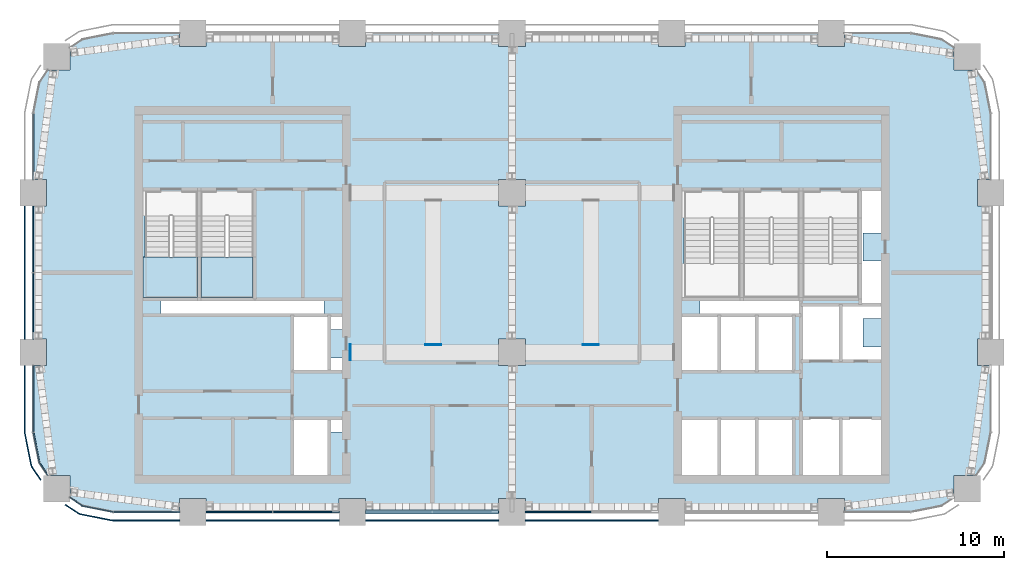
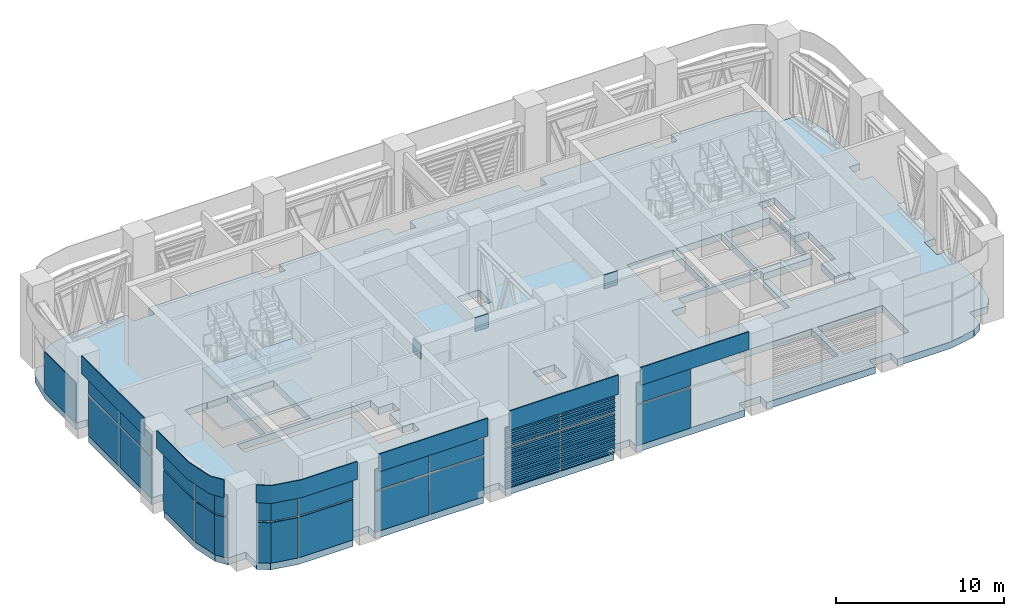
# One storey, part 8 of 19: 47 plates, 5 slabs, 9 elements without a shape of their own.
"""IFC4 building model written with IfcOpenShell, lengths in metres."""

from ifc_helpers import new_model, si_unit, direction, frame, origin, origin_2d, place, context, subcontext, project, spatial, polyline, rectangle, outline, extrude, material, layer, layer_set, type_object, element, aggregate, save


model = new_model("IFC4")

# Units and contexts
model_context = context("Model", 3, precision=1e-05, world=origin(), true_north=direction((0.0, 1.0)))
body_context = subcontext(model_context, "Body", "Model", "MODEL_VIEW")
ifc_project = project(units=[si_unit("LENGTHUNIT", "METRE"), si_unit("AREAUNIT", "SQUARE_METRE"), si_unit("VOLUMEUNIT", "CUBIC_METRE"), si_unit("PLANEANGLEUNIT", "RADIAN"), si_unit("MASSUNIT", "GRAM", prefix="KILO")], contexts=[model_context])

# Site, building, storey
site_placement = place(None, origin())
site = spatial("IfcSite", under=ifc_project, at=site_placement, CompositionType="ELEMENT")
building_placement = place(site_placement, origin())
building = spatial("IfcBuilding", under=site, at=building_placement, Name="Tessera Arch", CompositionType="ELEMENT")
storey_placement = place(building_placement, frame((0.0, 0.0, 197.300048828125)))
storey = spatial("IfcBuildingStorey", under=building, at=storey_placement, Name="L47", CompositionType="ELEMENT", Elevation=197.300048828125)

# Curtain wall, plate
ifc_material_1 = material(Name="CW7 curtain wall")
curtain_wall_type = type_object("IfcCurtainWallType", Name="CW7 curtain wall", PredefinedType="NOTDEFINED", material=ifc_material_1)
curtain_wall_1_placement = place(storey_placement, origin())
curtain_wall_1 = element("IfcCurtainWall", 1, at=curtain_wall_1_placement, inside=storey, type_object=curtain_wall_type, Name="CW7 curtain wall W0.27/0 L47", PredefinedType="NOTDEFINED")
ifc_material_2 = material(Name="Pale anodised aluminium panel", Category="aluminium")
ifc_layer_1 = layer(ifc_material_2, 0.06005859375)
ifc_layer_set_1 = layer_set([ifc_layer_1], Name="CW7 plant wall panel")
plate_type_1 = type_object("IfcPlateType", Name="CW7 plant wall panel", PredefinedType="CURTAIN_PANEL", material=ifc_layer_set_1)
plate_1_placement = place(storey_placement, frame((0.0, 47.610107421875, 0.0), z_axis=(0.0, 0.0, 1.0), x_axis=(0.0, -1.0, 0.0)))
plate_1 = element("IfcPlate", 2, at=plate_1_placement, type_object=plate_type_1, Name="CW7 plant wall panel W0.27/0 1.1", PredefinedType="CURTAIN_PANEL", context=body_context, shape_type="SweptSolid", body=[
    extrude(rectangle(XDim=3.719970703125, YDim=0.06005859375, at=origin_2d()), origin(), (0.0, 0.0, 1.0), 2.93994140625),
])
aggregate(curtain_wall_1, [plate_1])

# Curtain wall, plates
curtain_wall_2_placement = place(storey_placement, origin())
curtain_wall_2 = element("IfcCurtainWall", 3, at=curtain_wall_2_placement, inside=storey, type_object=curtain_wall_type, Name="CW7 curtain wall W0.27/1 L47", PredefinedType="NOTDEFINED")
plate_2_placement = place(storey_placement, frame((0.0, 42.389892578125, 0.0), z_axis=(0.0, 0.0, 1.0), x_axis=(0.0, -1.0, 0.0)))
plate_2 = element("IfcPlate", 4, at=plate_2_placement, type_object=plate_type_1, Name="CW7 plant wall panel W0.27/1 1.1.1", PredefinedType="CURTAIN_PANEL", context=body_context, shape_type="SweptSolid", body=[
    extrude(rectangle(XDim=3.719970703125, YDim=0.06005859375, at=origin_2d()), origin(), (0.0, 0.0, 1.0), 2.93994140625),
])
plate_3_placement = place(storey_placement, frame((0.0, 42.389892578125, 3.06005859375), z_axis=(0.0, 0.0, 1.0), x_axis=(0.0, -1.0, 0.0)))
plate_3 = element("IfcPlate", 5, at=plate_3_placement, type_object=plate_type_1, Name="CW7 plant wall panel W0.27/1 1.1.2", PredefinedType="CURTAIN_PANEL", context=body_context, shape_type="SweptSolid", body=[
    extrude(rectangle(XDim=3.719970703125, YDim=0.06005859375, at=origin_2d()), origin(), (0.0, 0.0, 1.0), 1.52001953125),
])
plate_4_placement = place(storey_placement, frame((0.0, 38.610107421875, 0.0), z_axis=(0.0, 0.0, 1.0), x_axis=(0.0, -1.0, 0.0)))
plate_4 = element("IfcPlate", 6, at=plate_4_placement, type_object=plate_type_1, Name="CW7 plant wall panel W0.27/1 1.2.1", PredefinedType="CURTAIN_PANEL", context=body_context, shape_type="SweptSolid", body=[
    extrude(rectangle(XDim=3.719970703125, YDim=0.06005859375, at=origin_2d()), origin(), (0.0, 0.0, 1.0), 2.93994140625),
])
plate_5_placement = place(storey_placement, frame((0.0, 38.610107421875, 3.06005859375), z_axis=(0.0, 0.0, 1.0), x_axis=(0.0, -1.0, 0.0)))
plate_5 = element("IfcPlate", 7, at=plate_5_placement, type_object=plate_type_1, Name="CW7 plant wall panel W0.27/1 1.2.2", PredefinedType="CURTAIN_PANEL", context=body_context, shape_type="SweptSolid", body=[
    extrude(rectangle(XDim=3.719970703125, YDim=0.06005859375, at=origin_2d()), origin(), (0.0, 0.0, 1.0), 1.52001953125),
])

curtain_wall_3_placement = place(storey_placement, origin())
curtain_wall_3 = element("IfcCurtainWall", 8, at=curtain_wall_3_placement, inside=storey, type_object=curtain_wall_type, Name="CW7 curtain wall W0.27/2 L47", PredefinedType="NOTDEFINED")
plate_6_placement = place(storey_placement, frame((0.0, 33.389892578125, 0.0), z_axis=(0.0, 0.0, 1.0), x_axis=(0.0, -1.0, 0.0)))
plate_6 = element("IfcPlate", 9, at=plate_6_placement, type_object=plate_type_1, Name="CW7 plant wall panel W0.27/2 1.1", PredefinedType="CURTAIN_PANEL", context=body_context, shape_type="SweptSolid", body=[
    extrude(rectangle(XDim=3.719970703125, YDim=0.06005859375, at=origin_2d()), origin(), (0.0, 0.0, 1.0), 2.93994140625),
])
plate_7_placement = place(storey_placement, origin())
plate_7 = element("IfcPlate", 10, at=plate_7_placement, type_object=plate_type_1, Name="CW7 curved plant wall panel W0.27/2 2.1", PredefinedType="CURTAIN_PANEL", context=body_context, shape_type="SweptSolid", body=[
    extrude(outline(polyline([(0.370849609375, 29.78955078125), (0.03515625, 31.476318359375), (-0.023681640625, 31.46484375), (0.314208984375, 29.76611328125), (0.7919921875, 29.05126953125), (0.841796875, 29.084716796875), (0.370849609375, 29.78955078125)])), origin(), (0.0, 0.0, 1.0), 2.93994140625),
])
plate_8_placement = place(storey_placement, frame((0.0, 33.389892578125, 3.06005859375), z_axis=(0.0, 0.0, 1.0), x_axis=(0.0, -1.0, 0.0)))
plate_8 = element("IfcPlate", 11, at=plate_8_placement, type_object=plate_type_1, Name="CW7 plant wall panel W0.27/2 1.2", PredefinedType="CURTAIN_PANEL", context=body_context, shape_type="SweptSolid", body=[
    extrude(rectangle(XDim=3.719970703125, YDim=0.06005859375, at=origin_2d()), origin(), (0.0, 0.0, 1.0), 1.52001953125),
])
plate_9_placement = place(storey_placement, frame((0.0, 0.0, 3.06005859375)))
plate_9 = element("IfcPlate", 12, at=plate_9_placement, type_object=plate_type_1, Name="CW7 curved plant wall panel W0.27/2 2.2", PredefinedType="CURTAIN_PANEL", context=body_context, shape_type="SweptSolid", body=[
    extrude(outline(polyline([(0.370849609375, 29.78955078125), (0.03515625, 31.476318359375), (-0.023681640625, 31.46484375), (0.314208984375, 29.76611328125), (0.7919921875, 29.05126953125), (0.841796875, 29.084716796875), (0.370849609375, 29.78955078125)])), origin(), (0.0, 0.0, 1.0), 1.519775390625),
])

curtain_wall_4_placement = place(storey_placement, origin())
curtain_wall_4 = element("IfcCurtainWall", 13, at=curtain_wall_4_placement, inside=storey, type_object=curtain_wall_type, Name="CW7 curtain wall S27.0/0 L47", PredefinedType="NOTDEFINED")
plate_10_placement = place(storey_placement, frame((6.389892578125, 27.0, 0.0), z_axis=(0.0, 0.0, 1.0), x_axis=(1.0, 0.0, 0.0)))
plate_10 = element("IfcPlate", 14, at=plate_10_placement, type_object=plate_type_1, Name="CW7 plant wall panel S27.0/0 1.1", PredefinedType="CURTAIN_PANEL", context=body_context, shape_type="SweptSolid", body=[
    extrude(rectangle(XDim=3.719970703125, YDim=0.06005859375, at=origin_2d()), origin(), (0.0, 0.0, 1.0), 2.93994140625),
])
plate_11_placement = place(storey_placement, origin())
plate_11 = element("IfcPlate", 15, at=plate_11_placement, type_object=plate_type_1, Name="CW7 curved plant wall panel S27.0/0 2.1", PredefinedType="CURTAIN_PANEL", context=body_context, shape_type="SweptSolid", body=[
    extrude(outline(polyline([(2.78955078125, 27.370849609375), (2.084716796875, 27.841796875), (2.05126953125, 27.7919921875), (2.76611328125, 27.314208984375), (4.46484375, 26.976318359375), (4.476318359375, 27.03515625), (2.78955078125, 27.370849609375)])), origin(), (0.0, 0.0, 1.0), 2.93994140625),
])
plate_12_placement = place(storey_placement, frame((6.389892578125, 27.0, 3.06005859375), z_axis=(0.0, 0.0, 1.0), x_axis=(1.0, 0.0, 0.0)))
plate_12 = element("IfcPlate", 16, at=plate_12_placement, type_object=plate_type_1, Name="CW7 plant wall panel S27.0/0 1.2", PredefinedType="CURTAIN_PANEL", context=body_context, shape_type="SweptSolid", body=[
    extrude(rectangle(XDim=3.719970703125, YDim=0.06005859375, at=origin_2d()), origin(), (0.0, 0.0, 1.0), 1.52001953125),
])
plate_13_placement = place(storey_placement, frame((0.0, 0.0, 3.06005859375)))
plate_13 = element("IfcPlate", 17, at=plate_13_placement, type_object=plate_type_1, Name="CW7 curved plant wall panel S27.0/0 2.2", PredefinedType="CURTAIN_PANEL", context=body_context, shape_type="SweptSolid", body=[
    extrude(outline(polyline([(2.78955078125, 27.370849609375), (2.084716796875, 27.841796875), (2.05126953125, 27.7919921875), (2.76611328125, 27.314208984375), (4.46484375, 26.976318359375), (4.476318359375, 27.03515625), (2.78955078125, 27.370849609375)])), origin(), (0.0, 0.0, 1.0), 1.519775390625),
])

curtain_wall_5_placement = place(storey_placement, origin())
curtain_wall_5 = element("IfcCurtainWall", 18, at=curtain_wall_5_placement, inside=storey, type_object=curtain_wall_type, Name="CW7 curtain wall S27.0/1 L47", PredefinedType="NOTDEFINED")
plate_14_placement = place(storey_placement, frame((11.610107421875, 27.0, 0.0), z_axis=(0.0, 0.0, 1.0), x_axis=(1.0, 0.0, 0.0)))
plate_14 = element("IfcPlate", 19, at=plate_14_placement, type_object=plate_type_1, Name="CW7 plant wall panel S27.0/1 1.1.1", PredefinedType="CURTAIN_PANEL", context=body_context, shape_type="SweptSolid", body=[
    extrude(rectangle(XDim=3.719970703125, YDim=0.06005859375, at=origin_2d()), origin(), (0.0, 0.0, 1.0), 2.93994140625),
])
plate_15_placement = place(storey_placement, frame((11.610107421875, 27.0, 3.06005859375), z_axis=(0.0, 0.0, 1.0), x_axis=(1.0, 0.0, 0.0)))
plate_15 = element("IfcPlate", 20, at=plate_15_placement, type_object=plate_type_1, Name="CW7 plant wall panel S27.0/1 1.1.2", PredefinedType="CURTAIN_PANEL", context=body_context, shape_type="SweptSolid", body=[
    extrude(rectangle(XDim=3.719970703125, YDim=0.06005859375, at=origin_2d()), origin(), (0.0, 0.0, 1.0), 1.52001953125),
])
plate_16_placement = place(storey_placement, frame((15.389892578125, 27.0, 0.0), z_axis=(0.0, 0.0, 1.0), x_axis=(1.0, 0.0, 0.0)))
plate_16 = element("IfcPlate", 21, at=plate_16_placement, type_object=plate_type_1, Name="CW7 plant wall panel S27.0/1 1.2.1", PredefinedType="CURTAIN_PANEL", context=body_context, shape_type="SweptSolid", body=[
    extrude(rectangle(XDim=3.719970703125, YDim=0.06005859375, at=origin_2d()), origin(), (0.0, 0.0, 1.0), 2.93994140625),
])
plate_17_placement = place(storey_placement, frame((15.389892578125, 27.0, 3.06005859375), z_axis=(0.0, 0.0, 1.0), x_axis=(1.0, 0.0, 0.0)))
plate_17 = element("IfcPlate", 22, at=plate_17_placement, type_object=plate_type_1, Name="CW7 plant wall panel S27.0/1 1.2.2", PredefinedType="CURTAIN_PANEL", context=body_context, shape_type="SweptSolid", body=[
    extrude(rectangle(XDim=3.719970703125, YDim=0.06005859375, at=origin_2d()), origin(), (0.0, 0.0, 1.0), 1.52001953125),
])

curtain_wall_6_placement = place(storey_placement, origin())
curtain_wall_6 = element("IfcCurtainWall", 23, at=curtain_wall_6_placement, inside=storey, type_object=curtain_wall_type, Name="CW7 curtain wall S27.0/2 L47", PredefinedType="NOTDEFINED")
plate_18_placement = place(storey_placement, frame((20.610107421875, 27.0, 0.0), z_axis=(0.0, 0.0, 1.0), x_axis=(1.0, 0.0, 0.0)))
plate_18 = element("IfcPlate", 24, at=plate_18_placement, type_object=plate_type_1, Name="CW7 plant wall panel S27.0/2 1.1.1", PredefinedType="CURTAIN_PANEL", context=body_context, shape_type="SweptSolid", body=[
    extrude(rectangle(XDim=3.719970703125, YDim=0.06005859375, at=origin_2d()), origin(), (0.0, 0.0, 1.0), 2.93994140625),
])
plate_19_placement = place(storey_placement, frame((20.610107421875, 27.0, 3.06005859375), z_axis=(0.0, 0.0, 1.0), x_axis=(1.0, 0.0, 0.0)))
plate_19 = element("IfcPlate", 25, at=plate_19_placement, type_object=plate_type_1, Name="CW7 plant wall panel S27.0/2 1.1.2", PredefinedType="CURTAIN_PANEL", context=body_context, shape_type="SweptSolid", body=[
    extrude(rectangle(XDim=3.719970703125, YDim=0.06005859375, at=origin_2d()), origin(), (0.0, 0.0, 1.0), 1.409912109375),
])
plate_20_placement = place(storey_placement, frame((24.389892578125, 27.0, 0.0), z_axis=(0.0, 0.0, 1.0), x_axis=(1.0, 0.0, 0.0)))
plate_20 = element("IfcPlate", 26, at=plate_20_placement, type_object=plate_type_1, Name="CW7 plant wall panel S27.0/2 1.2.1", PredefinedType="CURTAIN_PANEL", context=body_context, shape_type="SweptSolid", body=[
    extrude(rectangle(XDim=3.719970703125, YDim=0.06005859375, at=origin_2d()), origin(), (0.0, 0.0, 1.0), 2.93994140625),
])
plate_21_placement = place(storey_placement, frame((24.389892578125, 27.0, 3.06005859375), z_axis=(0.0, 0.0, 1.0), x_axis=(1.0, 0.0, 0.0)))
plate_21 = element("IfcPlate", 27, at=plate_21_placement, type_object=plate_type_1, Name="CW7 plant wall panel S27.0/2 1.2.2", PredefinedType="CURTAIN_PANEL", context=body_context, shape_type="SweptSolid", body=[
    extrude(rectangle(XDim=3.719970703125, YDim=0.06005859375, at=origin_2d()), origin(), (0.0, 0.0, 1.0), 1.409912109375),
])

curtain_wall_7_placement = place(storey_placement, origin())
curtain_wall_7 = element("IfcCurtainWall", 28, at=curtain_wall_7_placement, inside=storey, type_object=curtain_wall_type, Name="CW7 curtain wall S27.0/3 L47", PredefinedType="NOTDEFINED")
plate_22_placement = place(storey_placement, frame((29.610107421875, 27.0, 0.0), z_axis=(0.0, 0.0, 1.0), x_axis=(1.0, 0.0, 0.0)))
plate_22 = element("IfcPlate", 29, at=plate_22_placement, type_object=plate_type_1, Name="CW7 plant wall panel S27.0/3 1.1.1", PredefinedType="CURTAIN_PANEL", context=body_context, shape_type="SweptSolid", body=[
    extrude(rectangle(XDim=3.719970703125, YDim=0.06005859375, at=origin_2d()), origin(), (0.0, 0.0, 1.0), 2.93994140625),
])
plate_23_placement = place(storey_placement, frame((29.610107421875, 27.0, 3.06005859375), z_axis=(0.0, 0.0, 1.0), x_axis=(1.0, 0.0, 0.0)))
plate_23 = element("IfcPlate", 30, at=plate_23_placement, type_object=plate_type_1, Name="CW7 plant wall panel S27.0/3 1.1.2", PredefinedType="CURTAIN_PANEL", context=body_context, shape_type="SweptSolid", body=[
    extrude(rectangle(XDim=3.719970703125, YDim=0.06005859375, at=origin_2d()), origin(), (0.0, 0.0, 1.0), 1.52001953125),
])

# Plate
ifc_material_3 = material(Name="Pale anodised aluminium panel", Category="aluminium")
ifc_layer_2 = layer(ifc_material_3, 0.06005859375)
ifc_layer_set_2 = layer_set([ifc_layer_2], Name="CW7 spandrel panel")
plate_type_2 = type_object("IfcPlateType", Name="CW7 spandrel panel", PredefinedType="CURTAIN_PANEL", material=ifc_layer_set_2)
plate_24_placement = place(storey_placement, frame((-0.47998046875, 40.5, 4.69970703125), z_axis=(0.0, 0.0, 1.0), x_axis=(0.0, -1.0, 0.0)))
plate_24 = element("IfcPlate", 31, at=plate_24_placement, type_object=plate_type_2, Name="CW7 spandrel panel W0.27/1", PredefinedType="CURTAIN_PANEL", context=body_context, shape_type="SweptSolid", body=[
    extrude(rectangle(XDim=7.5, YDim=0.06005859375, at=origin_2d()), origin(), (0.0, 0.0, 1.0), 1.300048828125),
])

aggregate(curtain_wall_2, [plate_2, plate_3, plate_4, plate_5, plate_24])

plate_25_placement = place(storey_placement, frame((0.0, 0.0, 4.699951171875)))
plate_25 = element("IfcPlate", 32, at=plate_25_placement, type_object=plate_type_2, Name="CW7 spandrel panel W0.27/2", PredefinedType="CURTAIN_PANEL", context=body_context, shape_type="SweptSolid", body=[
    extrude(outline(polyline([(-0.449951171875, 31.500732421875), (-0.449951171875, 35.25), (-0.510009765625, 35.25), (-0.510009765625, 31.499267578125), (-0.507568359375, 31.449951171875), (-0.500244140625, 31.401123046875), (-0.157470703125, 29.677734375), (-0.1455078125, 29.6298828125), (-0.128662109375, 29.582763671875), (-0.107421875, 29.537353515625), (-0.08203125, 29.4951171875), (0.392822265625, 28.78466796875), (0.44287109375, 28.81787109375), (-0.03125, 29.52734375), (-0.054443359375, 29.565673828125), (-0.0732421875, 29.605712890625), (-0.088134765625, 29.647216796875), (-0.09912109375, 29.69091796875), (-0.441162109375, 31.411376953125), (-0.44775390625, 31.455810546875), (-0.449951171875, 31.500732421875)])), origin(), (0.0, 0.0, 1.0), 1.300048828125),
])

aggregate(curtain_wall_3, [plate_6, plate_7, plate_8, plate_9, plate_25])

plate_26_placement = place(storey_placement, frame((0.0, 0.0, 4.699951171875)))
plate_26 = element("IfcPlate", 33, at=plate_26_placement, type_object=plate_type_2, Name="CW7 spandrel panel S27.0/0", PredefinedType="CURTAIN_PANEL", context=body_context, shape_type="SweptSolid", body=[
    extrude(outline(polyline([(2.52734375, 26.96875), (1.81787109375, 27.44287109375), (1.78466796875, 27.392822265625), (2.4951171875, 26.91796875), (2.537353515625, 26.892578125), (2.582763671875, 26.871337890625), (2.6298828125, 26.8544921875), (2.677734375, 26.842529296875), (4.401123046875, 26.499755859375), (4.449951171875, 26.492431640625), (4.499267578125, 26.489990234375), (8.25, 26.489990234375), (8.25, 26.550048828125), (4.500732421875, 26.550048828125), (4.455810546875, 26.55224609375), (4.411376953125, 26.558837890625), (2.69091796875, 26.90087890625), (2.647216796875, 26.911865234375), (2.605712890625, 26.9267578125), (2.565673828125, 26.945556640625), (2.52734375, 26.96875)])), origin(), (0.0, 0.0, 1.0), 1.300048828125),
])

aggregate(curtain_wall_4, [plate_10, plate_11, plate_12, plate_13, plate_26])

plate_27_placement = place(storey_placement, frame((13.5, 26.52001953125, 4.69970703125), z_axis=(0.0, 0.0, 1.0), x_axis=(1.0, 0.0, 0.0)))
plate_27 = element("IfcPlate", 34, at=plate_27_placement, type_object=plate_type_2, Name="CW7 spandrel panel S27.0/1", PredefinedType="CURTAIN_PANEL", context=body_context, shape_type="SweptSolid", body=[
    extrude(rectangle(XDim=7.5, YDim=0.06005859375, at=origin_2d()), origin(), (0.0, 0.0, 1.0), 1.300048828125),
])

aggregate(curtain_wall_5, [plate_14, plate_15, plate_16, plate_17, plate_27])

plate_28_placement = place(storey_placement, frame((22.5, 26.52001953125, 4.58984375), z_axis=(0.0, 0.0, 1.0), x_axis=(1.0, 0.0, 0.0)))
plate_28 = element("IfcPlate", 35, at=plate_28_placement, type_object=plate_type_2, Name="CW7 spandrel panel S27.0/2", PredefinedType="CURTAIN_PANEL", context=body_context, shape_type="SweptSolid", body=[
    extrude(rectangle(XDim=7.5, YDim=0.06005859375, at=origin_2d()), origin(), (0.0, 0.0, 1.0), 1.409912109375),
])

aggregate(curtain_wall_6, [plate_18, plate_19, plate_20, plate_21, plate_28])

plate_29_placement = place(storey_placement, frame((31.5, 26.52001953125, 4.69970703125), z_axis=(0.0, 0.0, 1.0), x_axis=(1.0, 0.0, 0.0)))
plate_29 = element("IfcPlate", 36, at=plate_29_placement, type_object=plate_type_2, Name="CW7 spandrel panel S27.0/3", PredefinedType="CURTAIN_PANEL", context=body_context, shape_type="SweptSolid", body=[
    extrude(rectangle(XDim=7.5, YDim=0.06005859375, at=origin_2d()), origin(), (0.0, 0.0, 1.0), 1.300048828125),
])

aggregate(curtain_wall_7, [plate_22, plate_23, plate_29])

# Plates
ifc_material_4 = material(Name="Steel A572 Gr50", Category="steel")
ifc_layer_3 = layer(ifc_material_4, 0.050048828125)
ifc_layer_set_3 = layer_set([ifc_layer_3], Name="End plate BOX 900x1000x60")
plate_type_3 = type_object("IfcPlateType", Name="End plate BOX 900x1000x60", PredefinedType="SHEET", material=ifc_layer_set_3)
plate_30_placement = place(storey_placement, frame((17.85009765625, 36.0, 5.08984375), z_axis=(1.0, 0.0, 0.0), x_axis=(0.0, 1.0, 0.0)))
element("IfcPlate", 37, at=plate_30_placement, inside=storey, type_object=plate_type_3, Name="End plate BOX 900x1000x60 portal girder y36 1 L47", PredefinedType="SHEET", context=body_context, shape_type="SweptSolid", body=[
    extrude(rectangle(XDim=0.89990234375, YDim=1.0, at=origin_2d()), origin(), (0.0, 0.0, 1.0), 0.0498046875),
])
for number, where, z_axis, x_axis, name in (
    (38, (22.550048828125, 36.39990234375, 5.08984375), (0.0, 1.0, 0.0), (-1.0, 0.0, 0.0), "End plate BOX 900x1000x60 gallery edge beam west 1 L47"),
    (39, (31.449951171875, 36.39990234375, 5.08984375), (0.0, 1.0, 0.0), (-1.0, 0.0, 0.0), "End plate BOX 900x1000x60 gallery edge beam east 1 L47"),
):
    element("IfcPlate", number, at=place(storey_placement, frame(where, z_axis=z_axis, x_axis=x_axis)), inside=storey, type_object=plate_type_3, Name=name, PredefinedType="SHEET", context=body_context, shape_type="SweptSolid", body=[
        extrude(rectangle(XDim=0.89990234375, YDim=1.0, at=origin_2d()), origin(), (0.0, 0.0, 1.0), 0.050048828125),
    ])

# Slab
ifc_material_5 = material(Name="Concrete C40/50", Category="concrete")
ifc_layer_4 = layer(ifc_material_5, 0.5)
ifc_layer_set_4 = layer_set([ifc_layer_4], Name="Floor slab 500 Concrete C40/50")
slab_type_1 = type_object("IfcSlabType", Name="Floor slab 500 Concrete C40/50", PredefinedType="FLOOR", material=ifc_layer_set_4)
slab_1_placement = place(storey_placement, frame((0.0, 0.0, -0.5)))
element("IfcSlab", 40, at=slab_1_placement, inside=storey, type_object=slab_type_1, Name="Floor slab L47 1", PredefinedType="FLOOR", context=body_context, shape_type="SweptSolid", body=[
    extrude(outline(polyline([(54.0, 31.5), (53.657470703125, 29.77783203125), (53.18310546875, 29.068115234375), (51.931884765625, 29.068115234375), (51.931884765625, 27.81689453125), (51.22216796875, 27.342529296875), (49.5, 27.0), (45.75, 27.0), (45.75, 27.75), (44.25, 27.75), (44.25, 27.0), (36.75, 27.0), (36.75, 27.75), (35.25, 27.75), (35.25, 27.0), (27.75, 27.0), (27.75, 27.75), (26.25, 27.75), (26.25, 27.0), (18.75, 27.0), (18.75, 27.75), (17.25, 27.75), (17.25, 27.0), (9.75, 27.0), (9.75, 27.75), (8.25, 27.75), (8.25, 27.0), (4.5, 27.0), (2.77783203125, 27.342529296875), (2.068115234375, 27.81689453125), (2.068115234375, 29.068115234375), (0.81689453125, 29.068115234375), (0.342529296875, 29.77783203125), (0.0, 31.5), (0.0, 35.25), (0.75, 35.25), (0.75, 36.75), (0.0, 36.75), (0.0, 44.25), (0.75, 44.25), (0.75, 45.75), (0.0, 45.75), (0.0, 49.5), (0.342529296875, 51.22216796875), (0.81689453125, 51.931884765625), (2.068115234375, 51.931884765625), (2.068115234375, 53.18310546875), (2.77783203125, 53.657470703125), (4.5, 54.0), (8.25, 54.0), (8.25, 53.25), (9.75, 53.25), (9.75, 54.0), (17.25, 54.0), (17.25, 53.25), (18.75, 53.25), (18.75, 54.0), (26.25, 54.0), (26.25, 53.25), (27.75, 53.25), (27.75, 54.0), (35.25, 54.0), (35.25, 53.25), (36.75, 53.25), (36.75, 54.0), (44.25, 54.0), (44.25, 53.25), (45.75, 53.25), (45.75, 54.0), (49.5, 54.0), (51.22216796875, 53.657470703125), (51.931884765625, 53.18310546875), (51.931884765625, 51.931884765625), (53.18310546875, 51.931884765625), (53.657470703125, 51.22216796875), (54.0, 49.5), (54.0, 45.75), (53.25, 45.75), (53.25, 44.25), (54.0, 44.25), (54.0, 36.75), (53.25, 36.75), (53.25, 35.25), (54.0, 35.25), (54.0, 31.5)]), holes=[polyline([(17.39990234375, 32.300048828125), (16.699951171875, 32.300048828125), (14.60009765625, 32.300048828125), (14.60009765625, 29.10009765625), (16.699951171875, 29.10009765625), (16.699951171875, 31.5), (17.39990234375, 31.5), (17.39990234375, 32.300048828125)]), polyline([(16.699951171875, 34.89990234375), (17.39990234375, 34.89990234375), (17.39990234375, 35.699951171875), (16.699951171875, 35.699951171875), (16.699951171875, 37.300048828125), (17.39990234375, 37.300048828125), (17.39990234375, 38.10009765625), (16.699951171875, 38.10009765625), (16.39990234375, 38.10009765625), (16.39990234375, 39.0), (7.199951171875, 39.0), (7.199951171875, 38.10009765625), (14.60009765625, 38.10009765625), (14.60009765625, 34.89990234375), (16.699951171875, 34.89990234375)]), polyline([(7.699951171875, 43.699951171875), (7.699951171875, 43.68994140625), (6.300048828125, 43.68994140625), (6.300048828125, 39.199951171875), (9.25, 39.199951171875), (9.25, 43.68994140625), (7.85009765625, 43.68994140625), (7.85009765625, 43.699951171875), (7.699951171875, 43.699951171875)]), polyline([(10.85009765625, 43.699951171875), (10.85009765625, 43.68994140625), (9.449951171875, 43.68994140625), (9.449951171875, 39.199951171875), (12.39990234375, 39.199951171875), (12.39990234375, 43.68994140625), (11.0, 43.68994140625), (11.0, 43.699951171875), (10.85009765625, 43.699951171875)]), polyline([(38.699951171875, 32.300048828125), (36.60009765625, 32.300048828125), (36.60009765625, 29.10009765625), (38.699951171875, 29.10009765625), (40.800048828125, 29.10009765625), (42.89990234375, 29.10009765625), (42.89990234375, 32.300048828125), (40.800048828125, 32.300048828125), (38.699951171875, 32.300048828125)]), polyline([(26.25, 35.25), (27.75, 35.25), (27.75, 36.75), (26.25, 36.75), (26.25, 35.25)]), polyline([(36.60009765625, 38.10009765625), (36.60009765625, 34.89990234375), (38.699951171875, 34.89990234375), (40.800048828125, 34.89990234375), (42.89990234375, 34.89990234375), (42.89990234375, 38.10009765625), (43.300048828125, 38.10009765625), (43.300048828125, 35.5), (45.550048828125, 35.5), (47.800048828125, 35.5), (47.800048828125, 36.300048828125), (46.800048828125, 36.300048828125), (46.800048828125, 37.89990234375), (47.800048828125, 37.89990234375), (47.800048828125, 38.699951171875), (47.800048828125, 41.14990234375), (46.800048828125, 41.14990234375), (46.800048828125, 42.75), (47.800048828125, 42.75), (47.800048828125, 45.199951171875), (46.64990234375, 45.199951171875), (46.64990234375, 38.699951171875), (45.550048828125, 38.699951171875), (43.300048828125, 38.699951171875), (43.300048828125, 39.0), (37.60009765625, 39.0), (37.60009765625, 38.10009765625), (36.60009765625, 38.10009765625)]), polyline([(38.330078125, 43.580078125), (38.219970703125, 43.580078125), (38.219970703125, 43.570068359375), (36.699951171875, 43.570068359375), (36.699951171875, 39.199951171875), (39.85009765625, 39.199951171875), (39.85009765625, 43.570068359375), (38.330078125, 43.570068359375), (38.330078125, 43.580078125)]), polyline([(41.679931640625, 43.580078125), (41.570068359375, 43.580078125), (41.570068359375, 43.570068359375), (40.050048828125, 43.570068359375), (40.050048828125, 39.199951171875), (43.199951171875, 39.199951171875), (43.199951171875, 43.570068359375), (41.679931640625, 43.570068359375), (41.679931640625, 43.580078125)]), polyline([(27.75, 44.25), (27.75, 45.75), (26.25, 45.75), (26.25, 44.25), (27.75, 44.25)]), polyline([(47.800048828125, 29.10009765625), (47.800048828125, 32.300048828125), (45.550048828125, 32.300048828125), (43.300048828125, 32.300048828125), (43.300048828125, 29.10009765625), (45.550048828125, 29.10009765625), (47.800048828125, 29.10009765625)]), polyline([(45.030029296875, 43.580078125), (44.919921875, 43.580078125), (44.919921875, 43.570068359375), (43.39990234375, 43.570068359375), (43.39990234375, 39.199951171875), (46.550048828125, 39.199951171875), (46.550048828125, 43.570068359375), (45.030029296875, 43.570068359375), (45.030029296875, 43.580078125)])]), origin(), (0.0, 0.0, 1.0), 0.5),
])

# Plates
ifc_material_6 = material(Name="Aluminium louvre pale metal anodised", Category="aluminium")
ifc_layer_5 = layer(ifc_material_6, 0.02001953125)
ifc_layer_set_5 = layer_set([ifc_layer_5], Name="Plant louvre blade")
plate_type_4 = type_object("IfcPlateType", Name="Plant louvre blade", PredefinedType="USERDEFINED", material=ifc_layer_set_5)
for number, where, z_axis, x_axis, name in (
    (41, (18.75, 26.875, 0.14990234375), (0.0, -0.269874067237, 0.962895626656), (1.0, 0.0, 0.0), "Louvre blade S27.0/2 1"),
    (42, (18.75, 26.875, 0.449951171875), (0.0, -0.269874067237, 0.962895626656), (1.0, 0.0, 0.0), "Louvre blade S27.0/2 2"),
    (43, (18.75, 26.875, 0.75), (0.0, -0.269874067237, 0.962895626656), (1.0, 0.0, 0.0), "Louvre blade S27.0/2 3"),
):
    element("IfcPlate", number, at=place(storey_placement, frame(where, z_axis=z_axis, x_axis=x_axis)), inside=storey, type_object=plate_type_4, Name=name, ObjectType="LOUVER", PredefinedType="USERDEFINED", context=body_context, shape_type="SweptSolid", body=[
        extrude(outline(polyline([(0.0, 0.0), (7.5, 0.0), (7.5, 0.25963353979311715), (0.0, 0.25963353979311715), (0.0, 0.0)])), origin(), (0.0, 0.0, -1.0), 0.02001953125),
    ])
plate_31_placement = place(storey_placement, frame((18.75, 26.875, 1.050048828125), z_axis=(0.0, -0.269001893813, 0.963139647779), x_axis=(1.0, 0.0, 0.0)))
element("IfcPlate", 44, at=plate_31_placement, inside=storey, type_object=plate_type_4, Name="Louvre blade S27.0/2 4", ObjectType="LOUVER", PredefinedType="USERDEFINED", context=body_context, shape_type="SweptSolid", body=[
    extrude(outline(polyline([(0.0, 0.0), (7.5, 0.0), (7.5, 0.25956775902266416), (0.0, 0.25956775902266416), (0.0, 0.0)])), origin(), (0.0, 0.0, -1.0), 0.02001953125),
])
for number, where, z_axis, x_axis, name in (
    (45, (18.75, 26.875, 1.349853515625), (0.0, -0.269874067237, 0.962895626656), (1.0, 0.0, 0.0), "Louvre blade S27.0/2 5"),
    (46, (18.75, 26.875, 1.64990234375), (0.0, -0.269874067237, 0.962895626656), (1.0, 0.0, 0.0), "Louvre blade S27.0/2 6"),
    (47, (18.75, 26.875, 1.949951171875), (0.0, -0.269874067237, 0.962895626656), (1.0, 0.0, 0.0), "Louvre blade S27.0/2 7"),
    (48, (18.75, 26.875, 2.25), (0.0, -0.269874067237, 0.962895626656), (1.0, 0.0, 0.0), "Louvre blade S27.0/2 8"),
):
    element("IfcPlate", number, at=place(storey_placement, frame(where, z_axis=z_axis, x_axis=x_axis)), inside=storey, type_object=plate_type_4, Name=name, ObjectType="LOUVER", PredefinedType="USERDEFINED", context=body_context, shape_type="SweptSolid", body=[
        extrude(outline(polyline([(0.0, 0.0), (7.5, 0.0), (7.5, 0.25963353979311715), (0.0, 0.25963353979311715), (0.0, 0.0)])), origin(), (0.0, 0.0, -1.0), 0.02001953125),
    ])
plate_32_placement = place(storey_placement, frame((18.75, 26.875, 2.550048828125), z_axis=(0.0, -0.269001893813, 0.963139647779), x_axis=(1.0, 0.0, 0.0)))
element("IfcPlate", 49, at=plate_32_placement, inside=storey, type_object=plate_type_4, Name="Louvre blade S27.0/2 9", ObjectType="LOUVER", PredefinedType="USERDEFINED", context=body_context, shape_type="SweptSolid", body=[
    extrude(outline(polyline([(0.0, 0.0), (7.5, 0.0), (7.5, 0.25956775902266416), (0.0, 0.25956775902266416), (0.0, 0.0)])), origin(), (0.0, 0.0, -1.0), 0.02001953125),
])
for number, where, z_axis, x_axis, name in (
    (50, (18.75, 26.875, 2.849853515625), (0.0, -0.269874067237, 0.962895626656), (1.0, 0.0, 0.0), "Louvre blade S27.0/2 10"),
    (51, (18.75, 26.875, 3.14990234375), (0.0, -0.269874067237, 0.962895626656), (1.0, 0.0, 0.0), "Louvre blade S27.0/2 11"),
    (52, (18.75, 26.875, 3.449951171875), (0.0, -0.269874067237, 0.962895626656), (1.0, 0.0, 0.0), "Louvre blade S27.0/2 12"),
    (53, (18.75, 26.875, 3.75), (0.0, -0.269874067237, 0.962895626656), (1.0, 0.0, 0.0), "Louvre blade S27.0/2 13"),
):
    element("IfcPlate", number, at=place(storey_placement, frame(where, z_axis=z_axis, x_axis=x_axis)), inside=storey, type_object=plate_type_4, Name=name, ObjectType="LOUVER", PredefinedType="USERDEFINED", context=body_context, shape_type="SweptSolid", body=[
        extrude(outline(polyline([(0.0, 0.0), (7.5, 0.0), (7.5, 0.25963353979311715), (0.0, 0.25963353979311715), (0.0, 0.0)])), origin(), (0.0, 0.0, -1.0), 0.02001953125),
    ])
plate_33_placement = place(storey_placement, frame((18.75, 26.875, 4.050048828125), z_axis=(0.0, -0.269001893813, 0.963139647779), x_axis=(1.0, 0.0, 0.0)))
element("IfcPlate", 54, at=plate_33_placement, inside=storey, type_object=plate_type_4, Name="Louvre blade S27.0/2 14", ObjectType="LOUVER", PredefinedType="USERDEFINED", context=body_context, shape_type="SweptSolid", body=[
    extrude(outline(polyline([(0.0, 0.0), (7.5, 0.0), (7.5, 0.25956775902266416), (0.0, 0.25956775902266416), (0.0, 0.0)])), origin(), (0.0, 0.0, -1.0), 0.02001953125),
])
plate_34_placement = place(storey_placement, frame((18.75, 26.875, 4.349853515625), z_axis=(0.0, -0.269874067237, 0.962895626656), x_axis=(1.0, 0.0, 0.0)))
element("IfcPlate", 55, at=plate_34_placement, inside=storey, type_object=plate_type_4, Name="Louvre blade S27.0/2 15", ObjectType="LOUVER", PredefinedType="USERDEFINED", context=body_context, shape_type="SweptSolid", body=[
    extrude(outline(polyline([(0.0, 0.0), (7.5, 0.0), (7.5, 0.25963353979311715), (0.0, 0.25963353979311715), (0.0, 0.0)])), origin(), (0.0, 0.0, -1.0), 0.02001953125),
])

# Stair, slabs
ifc_material_7 = material(Name="Concrete C40/50", Category="concrete")
stair_type = type_object("IfcStairType", Name="Dogleg stair 1400", PredefinedType="HALF_TURN_STAIR", material=ifc_material_7)
stair_1_placement = place(storey_placement, origin())
stair_1 = element("IfcStair", 56, at=stair_1_placement, inside=storey, type_object=stair_type, Name="L47 S2a", PredefinedType="HALF_TURN_STAIR")
ifc_material_8 = material(Name="Concrete C40/50", Category="concrete")
ifc_layer_6 = layer(ifc_material_8, 0.300048828125)
ifc_layer_set_6 = layer_set([ifc_layer_6], Name="Stair landing 300")
slab_type_2 = type_object("IfcSlabType", Name="Stair landing 300", PredefinedType="LANDING", material=ifc_layer_set_6)
slab_2_placement = place(storey_placement, frame((0.0, 0.0, 1.300048828125)))
slab_2 = element("IfcSlab", 57, at=slab_2_placement, type_object=slab_type_2, Name="S2a landing 1", PredefinedType="LANDING", context=body_context, shape_type="SweptSolid", body=[
    extrude(outline(polyline([(6.199951171875, 41.3798828125), (6.199951171875, 39.10009765625), (9.25, 39.10009765625), (9.25, 41.3798828125), (6.199951171875, 41.3798828125)])), origin(), (0.0, 0.0, 1.0), 0.199951171875),
])
slab_3_placement = place(storey_placement, frame((0.0, 0.0, 4.300048828125)))
slab_3 = element("IfcSlab", 58, at=slab_3_placement, type_object=slab_type_2, Name="S2a landing 3", PredefinedType="LANDING", context=body_context, shape_type="SweptSolid", body=[
    extrude(outline(polyline([(6.199951171875, 41.3798828125), (6.199951171875, 39.10009765625), (9.25, 39.10009765625), (9.25, 41.3798828125), (6.199951171875, 41.3798828125)])), origin(), (0.0, 0.0, 1.0), 0.199951171875),
])
aggregate(stair_1, [slab_2, slab_3])

stair_2_placement = place(storey_placement, origin())
stair_2 = element("IfcStair", 59, at=stair_2_placement, inside=storey, type_object=stair_type, Name="L47 S2b", PredefinedType="HALF_TURN_STAIR")
slab_4_placement = place(storey_placement, frame((0.0, 0.0, 1.300048828125)))
slab_4 = element("IfcSlab", 60, at=slab_4_placement, type_object=slab_type_2, Name="S2b landing 1", PredefinedType="LANDING", context=body_context, shape_type="SweptSolid", body=[
    extrude(outline(polyline([(9.449951171875, 41.3798828125), (9.449951171875, 39.10009765625), (12.39990234375, 39.10009765625), (12.39990234375, 41.3798828125), (9.449951171875, 41.3798828125)])), origin(), (0.0, 0.0, 1.0), 0.199951171875),
])
slab_5_placement = place(storey_placement, frame((0.0, 0.0, 4.300048828125)))
slab_5 = element("IfcSlab", 61, at=slab_5_placement, type_object=slab_type_2, Name="S2b landing 3", PredefinedType="LANDING", context=body_context, shape_type="SweptSolid", body=[
    extrude(outline(polyline([(9.449951171875, 41.3798828125), (9.449951171875, 39.10009765625), (12.39990234375, 39.10009765625), (12.39990234375, 41.3798828125), (9.449951171875, 41.3798828125)])), origin(), (0.0, 0.0, 1.0), 0.199951171875),
])
aggregate(stair_2, [slab_4, slab_5])

save(model, "model.ifc")
